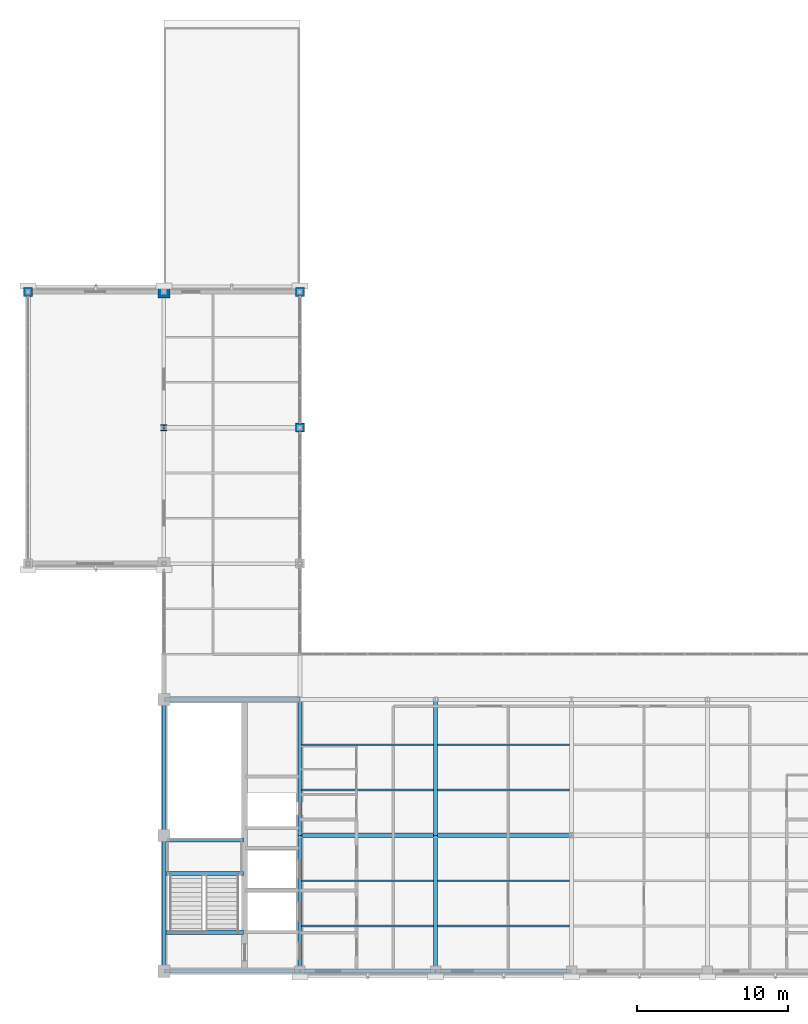
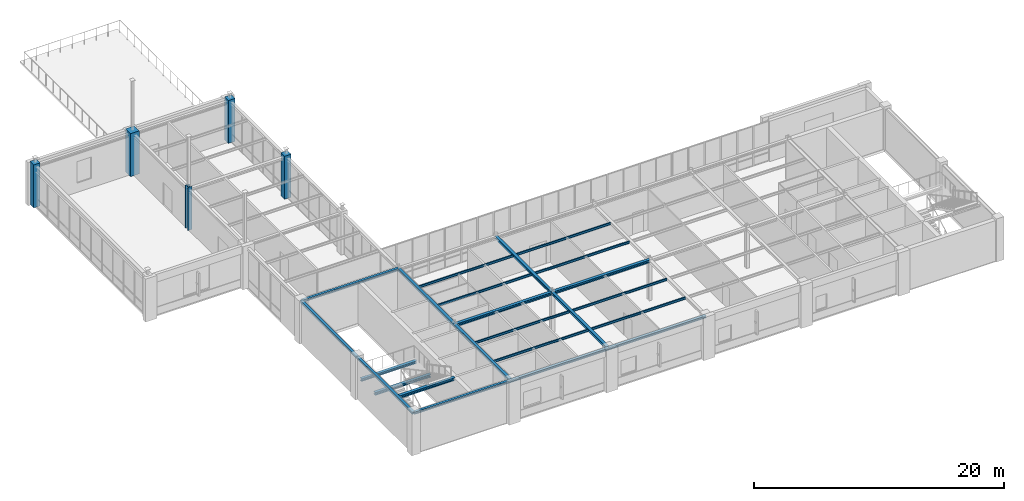
# One storey, part 3 of 36: 23 beams, 5 columns.
"""IFC4 building model written with IfcOpenShell, lengths in metres."""

from ifc_helpers import new_model, si_unit, direction, frame, origin, origin_2d, place, context, subcontext, project, spatial, rectangle, i_section, extrude, material, material_profile, profile_set, type_object, element, save


model = new_model("IFC4")

# Units and contexts
model_context = context("Model", 3, precision=1e-05, world=origin(), true_north=direction((0.0, 1.0)))
body_context = subcontext(model_context, "Body", "Model", "MODEL_VIEW")
ifc_project = project(units=[si_unit("LENGTHUNIT", "METRE"), si_unit("AREAUNIT", "SQUARE_METRE"), si_unit("VOLUMEUNIT", "CUBIC_METRE"), si_unit("PLANEANGLEUNIT", "RADIAN"), si_unit("MASSUNIT", "GRAM", prefix="KILO")], contexts=[model_context])

# Site, building, storey
site_placement = place(None, origin())
site = spatial("IfcSite", under=ifc_project, at=site_placement, CompositionType="ELEMENT")
building_placement = place(site_placement, origin())
building = spatial("IfcBuilding", under=site, at=building_placement, Name="Lykobir Media Centre", CompositionType="ELEMENT")
storey_placement = place(building_placement, frame((0.0, 0.0, 27.60009765625)))
storey = spatial("IfcBuildingStorey", under=building, at=storey_placement, Name="L06", CompositionType="ELEMENT", Elevation=27.60009765625)

# Columns
ifc_material_1 = material(Name="Concrete C40/50", Category="concrete")
ifc_material_profile_1 = material_profile(ifc_material_1, rectangle(XDim=0.60009765625, YDim=0.60009765625, at=origin_2d()), Name="RC 600x600")
ifc_profile_set_1 = profile_set([ifc_material_profile_1], Name="Concrete C40/50")
column_type_1 = type_object("IfcColumnType", Name="RC-C600", PredefinedType="COLUMN", material=ifc_profile_set_1)
for number, where, z_axis, x_axis, name in (
    (1, (18.0, 45.0, 0.0), (0.0, 0.0, 1.0), (1.0, 0.0, 0.0), "Column COL-L06-0180-0450"),
    (2, (36.0, 36.0, 0.0), (0.0, 0.0, 1.0), (1.0, 0.0, 0.0), "Column COL-L06-0360-0360"),
    (3, (36.0, 45.0, 0.0), (0.0, 0.0, 1.0), (1.0, 0.0, 0.0), "Column COL-L06-0360-0450"),
):
    element("IfcColumn", number, at=place(storey_placement, frame(where, z_axis=z_axis, x_axis=x_axis)), inside=storey, type_object=column_type_1, Name=name, PredefinedType="COLUMN", context=body_context, shape_type="SweptSolid", body=[
        extrude(rectangle(XDim=0.60009765625, YDim=0.60009765625, at=origin_2d()), origin(), (0.0, 0.0, 1.0), 4.199951171875),
    ])
ifc_material_profile_2 = material_profile(ifc_material_1, rectangle(XDim=0.800048828125, YDim=0.800048828125, at=origin_2d()), Name="RC 800x800")
ifc_profile_set_2 = profile_set([ifc_material_profile_2], Name="Concrete C40/50")
column_type_2 = type_object("IfcColumnType", Name="RC-C800", PredefinedType="COLUMN", material=ifc_profile_set_2)
column_1_placement = place(storey_placement, frame((27.0, 45.0, 0.0), z_axis=(0.0, 0.0, 1.0), x_axis=(1.0, 0.0, 0.0)))
element("IfcColumn", 4, at=column_1_placement, inside=storey, type_object=column_type_2, Name="Column COL-L06-0270-0450", PredefinedType="COLUMN", context=body_context, shape_type="SweptSolid", body=[
    extrude(rectangle(XDim=0.800048828125, YDim=0.800048828125, at=origin_2d()), origin(), (0.0, 0.0, 1.0), 4.199951171875),
])
ifc_material_2 = material(Name="Steel S355", Category="steel")
ifc_material_profile_3 = material_profile(ifc_material_2, i_section(OverallWidth=0.404052734375, OverallDepth=0.406982421875, WebThickness=0.017822265625, FlangeThickness=0.027099609375, at=origin_2d()), Name="HD 400x347")
ifc_profile_set_3 = profile_set([ifc_material_profile_3], Name="Steel S355")
column_type_3 = type_object("IfcColumnType", Name="SC-HD347", PredefinedType="COLUMN", material=ifc_profile_set_3)
column_2_placement = place(storey_placement, frame((27.0, 36.0, 0.0), z_axis=(0.0, 0.0, 1.0), x_axis=(1.0, 0.0, 0.0)))
element("IfcColumn", 5, at=column_2_placement, inside=storey, type_object=column_type_3, Name="Column COL-L06-0270-0360", PredefinedType="COLUMN", context=body_context, shape_type="SweptSolid", body=[
    extrude(i_section(OverallWidth=0.404052734375, OverallDepth=0.406982421875, WebThickness=0.017822265625, FlangeThickness=0.027099609375, at=origin_2d()), origin(), (0.0, 0.0, 1.0), 4.199951171875),
])

# Beams
ifc_material_profile_4 = material_profile(ifc_material_2, i_section(OverallWidth=0.260009765625, OverallDepth=0.25, WebThickness=0.007568359375, FlangeThickness=0.012451171875, at=origin_2d()), Name="HEA 260")
ifc_profile_set_4 = profile_set([ifc_material_profile_4], Name="Steel S355")
beam_type_1 = type_object("IfcBeamType", Name="BM-HEA260", PredefinedType="BEAM", material=ifc_profile_set_4)
for number, where, z_axis, x_axis, name in (
    (6, (36.0, 0.0, 3.8349609375), (0.0, 1.0, 0.0), (-1.0, 0.0, 0.0), "Beam BM-L06-0360-0000-0360-0090-3144"),
    (7, (36.0, 9.0, 3.8349609375), (0.0, 1.0, 0.0), (-1.0, 0.0, 0.0), "Beam BM-L06-0360-0090-0360-0180-3144"),
    (8, (45.0, 0.0, 3.8349609375), (0.0, 1.0, 0.0), (-1.0, 0.0, 0.0), "Beam BM-L06-0450-0000-0450-0090-3144"),
    (9, (45.0, 9.0, 3.8349609375), (0.0, 1.0, 0.0), (-1.0, 0.0, 0.0), "Beam BM-L06-0450-0090-0450-0180-3144"),
):
    element("IfcBeam", number, at=place(storey_placement, frame(where, z_axis=z_axis, x_axis=x_axis)), inside=storey, type_object=beam_type_1, Name=name, PredefinedType="BEAM", context=body_context, shape_type="SweptSolid", body=[
        extrude(i_section(OverallWidth=0.260009765625, OverallDepth=0.25, WebThickness=0.007568359375, FlangeThickness=0.012451171875, at=origin_2d()), origin(), (0.0, 0.0, 1.0), 9.0),
    ])
ifc_material_profile_5 = material_profile(ifc_material_2, i_section(OverallWidth=0.280029296875, OverallDepth=0.27001953125, WebThickness=0.008056640625, FlangeThickness=0.012939453125, at=origin_2d()), Name="HEA 280")
ifc_profile_set_5 = profile_set([ifc_material_profile_5], Name="Steel S355")
beam_type_2 = type_object("IfcBeamType", Name="BM-HEA280", PredefinedType="BEAM", material=ifc_profile_set_5)
for number, where, z_axis, x_axis, name in (
    (10, (36.0, 9.0, 3.824951171875), (1.0, 0.0, 0.0), (0.0, 1.0, 0.0), "Beam BM-L06-0360-0090-0450-0090-3142"),
    (11, (45.0, 9.0, 3.824951171875), (1.0, 0.0, 0.0), (0.0, 1.0, 0.0), "Beam BM-L06-0450-0090-0540-0090-3142"),
):
    element("IfcBeam", number, at=place(storey_placement, frame(where, z_axis=z_axis, x_axis=x_axis)), inside=storey, type_object=beam_type_2, Name=name, PredefinedType="BEAM", context=body_context, shape_type="SweptSolid", body=[
        extrude(i_section(OverallWidth=0.280029296875, OverallDepth=0.27001953125, WebThickness=0.008056640625, FlangeThickness=0.012939453125, at=origin_2d()), origin(), (0.0, 0.0, 1.0), 9.0),
    ])
ifc_material_profile_6 = material_profile(ifc_material_2, i_section(OverallWidth=0.260009765625, OverallDepth=0.25, WebThickness=0.007568359375, FlangeThickness=0.012451171875, at=origin_2d()), Name="HEA 260")
ifc_profile_set_6 = profile_set([ifc_material_profile_6], Name="Steel S355")
beam_type_3 = type_object("IfcBeamType", Name="BM-ST260", PredefinedType="BEAM", material=ifc_profile_set_6)
beam_placement = place(storey_placement, frame((27.1298828125, 8.679931640625, 1.77978515625), z_axis=(1.0, 0.0, 0.0), x_axis=(0.0, 1.0, 0.0)))
element("IfcBeam", 12, at=beam_placement, inside=storey, type_object=beam_type_3, Name="ST-1 L06 half-landing support beam", PredefinedType="BEAM", context=body_context, shape_type="SweptSolid", body=[
    extrude(i_section(OverallWidth=0.260009765625, OverallDepth=0.25, WebThickness=0.007568359375, FlangeThickness=0.012451171875, at=origin_2d()), origin(), (0.0, 0.0, 1.0), 5.14013671875),
])
ifc_material_profile_7 = material_profile(ifc_material_2, i_section(OverallWidth=0.280029296875, OverallDepth=0.27001953125, WebThickness=0.008056640625, FlangeThickness=0.012939453125, at=origin_2d()), Name="HEA 280")
ifc_profile_set_7 = profile_set([ifc_material_profile_7], Name="Steel S355")
beam_type_4 = type_object("IfcBeamType", Name="BM-ST280", PredefinedType="BEAM", material=ifc_profile_set_7)
for number, where, z_axis, x_axis, name in (
    (13, (27.1298828125, 2.580078125, 3.824951171875), (1.0, 0.0, 0.0), (0.0, 1.0, 0.0), "ST-1 L06 arrival trimmer beam"),
    (14, (27.1298828125, 6.47998046875, 1.77001953125), (1.0, 0.0, 0.0), (0.0, 1.0, 0.0), "ST-1 L06 mid-landing trimmer beam"),
):
    element("IfcBeam", number, at=place(storey_placement, frame(where, z_axis=z_axis, x_axis=x_axis)), inside=storey, type_object=beam_type_4, Name=name, PredefinedType="BEAM", context=body_context, shape_type="SweptSolid", body=[
        extrude(i_section(OverallWidth=0.280029296875, OverallDepth=0.27001953125, WebThickness=0.008056640625, FlangeThickness=0.012939453125, at=origin_2d()), origin(), (0.0, 0.0, 1.0), 5.14013671875),
    ])
ifc_material_profile_8 = material_profile(ifc_material_2, i_section(OverallWidth=0.110107421875, OverallDepth=0.219970703125, WebThickness=0.005859375, FlangeThickness=0.00927734375, at=origin_2d()), Name="IPE 220")
ifc_profile_set_8 = profile_set([ifc_material_profile_8], Name="Steel S355")
beam_type_5 = type_object("IfcBeamType", Name="JS-IPE220", PredefinedType="JOIST", material=ifc_profile_set_8)
for number, where, z_axis, x_axis, name in (
    (15, (36.1298828125, 3.0, 3.849853515625), (1.0, 0.0, 0.0), (0.0, 1.0, 0.0), "Beam BM-L06-0361-0030-0449-0030-3145"),
    (16, (36.1298828125, 6.0, 3.849853515625), (1.0, 0.0, 0.0), (0.0, 1.0, 0.0), "Beam BM-L06-0361-0060-0449-0060-3145"),
    (17, (36.1298828125, 12.0, 3.849853515625), (1.0, 0.0, 0.0), (0.0, 1.0, 0.0), "Beam BM-L06-0361-0120-0449-0120-3145"),
    (18, (36.1298828125, 15.0, 3.849853515625), (1.0, 0.0, 0.0), (0.0, 1.0, 0.0), "Beam BM-L06-0361-0150-0449-0150-3145"),
    (19, (45.1298828125, 3.0, 3.849853515625), (1.0, 0.0, 0.0), (0.0, 1.0, 0.0), "Beam BM-L06-0451-0030-0539-0030-3145"),
    (20, (45.1298828125, 6.0, 3.849853515625), (1.0, 0.0, 0.0), (0.0, 1.0, 0.0), "Beam BM-L06-0451-0060-0539-0060-3145"),
    (21, (45.1298828125, 12.0, 3.849853515625), (1.0, 0.0, 0.0), (0.0, 1.0, 0.0), "Beam BM-L06-0451-0120-0539-0120-3145"),
    (22, (45.1298828125, 15.0, 3.849853515625), (1.0, 0.0, 0.0), (0.0, 1.0, 0.0), "Beam BM-L06-0451-0150-0539-0150-3145"),
):
    element("IfcBeam", number, at=place(storey_placement, frame(where, z_axis=z_axis, x_axis=x_axis)), inside=storey, type_object=beam_type_5, Name=name, PredefinedType="JOIST", context=body_context, shape_type="SweptSolid", body=[
        extrude(i_section(OverallWidth=0.110107421875, OverallDepth=0.219970703125, WebThickness=0.005859375, FlangeThickness=0.00927734375, at=origin_2d()), origin(), (0.0, 0.0, 1.0), 8.740234375),
    ])
ifc_material_profile_9 = material_profile(ifc_material_2, i_section(OverallWidth=0.239990234375, OverallDepth=0.22998046875, WebThickness=0.007568359375, FlangeThickness=0.011962890625, at=origin_2d()), Name="HEA 240")
ifc_profile_set_9 = profile_set([ifc_material_profile_9], Name="Steel S355")
beam_type_6 = type_object("IfcBeamType", Name="SP-HEA240", PredefinedType="SPANDREL", material=ifc_profile_set_9)
for number, where, z_axis, x_axis, name in (
    (23, (27.0, 18.0, 3.844970703125), (1.0, 0.0, 0.0), (0.0, 1.0, 0.0), "Beam BM-L06-0270-0180-0360-0180-3144"),
    (24, (27.0, 0.0, 3.844970703125), (0.0, 1.0, 0.0), (-1.0, 0.0, 0.0), "Beam BM-L06-0270-0000-0270-0090-3144"),
    (25, (27.0, 9.0, 3.844970703125), (0.0, 1.0, 0.0), (-1.0, 0.0, 0.0), "Beam BM-L06-0270-0090-0270-0180-3144"),
):
    element("IfcBeam", number, at=place(storey_placement, frame(where, z_axis=z_axis, x_axis=x_axis)), inside=storey, type_object=beam_type_6, Name=name, PredefinedType="SPANDREL", context=body_context, shape_type="SweptSolid", body=[
        extrude(i_section(OverallWidth=0.239990234375, OverallDepth=0.22998046875, WebThickness=0.007568359375, FlangeThickness=0.011962890625, at=origin_2d()), origin(), (0.0, 0.0, 1.0), 9.0),
    ])
ifc_material_profile_10 = material_profile(ifc_material_2, i_section(OverallWidth=0.239990234375, OverallDepth=0.22998046875, WebThickness=0.007568359375, FlangeThickness=0.011962890625, at=origin_2d()), Name="HEA 240")
ifc_profile_set_10 = profile_set([ifc_material_profile_10], Name="Steel S355")
beam_type_7 = type_object("IfcBeamType", Name="SP-HEA240-E", PredefinedType="SPANDREL", material=ifc_profile_set_10)
for number, where, z_axis, x_axis, name in (
    (26, (27.0, 0.0, 3.844970703125), (1.0, 0.0, 0.0), (0.0, 1.0, 0.0), "Beam BM-L06-0270-0000-0360-0000-3144"),
    (27, (36.0, 0.0, 3.844970703125), (1.0, 0.0, 0.0), (0.0, 1.0, 0.0), "Beam BM-L06-0360-0000-0450-0000-3144"),
    (28, (45.0, 0.0, 3.844970703125), (1.0, 0.0, 0.0), (0.0, 1.0, 0.0), "Beam BM-L06-0450-0000-0540-0000-3144"),
):
    element("IfcBeam", number, at=place(storey_placement, frame(where, z_axis=z_axis, x_axis=x_axis)), inside=storey, type_object=beam_type_7, Name=name, PredefinedType="SPANDREL", context=body_context, shape_type="SweptSolid", body=[
        extrude(i_section(OverallWidth=0.239990234375, OverallDepth=0.22998046875, WebThickness=0.007568359375, FlangeThickness=0.011962890625, at=origin_2d()), origin(), (0.0, 0.0, 1.0), 9.0),
    ])

save(model, "model.ifc")
